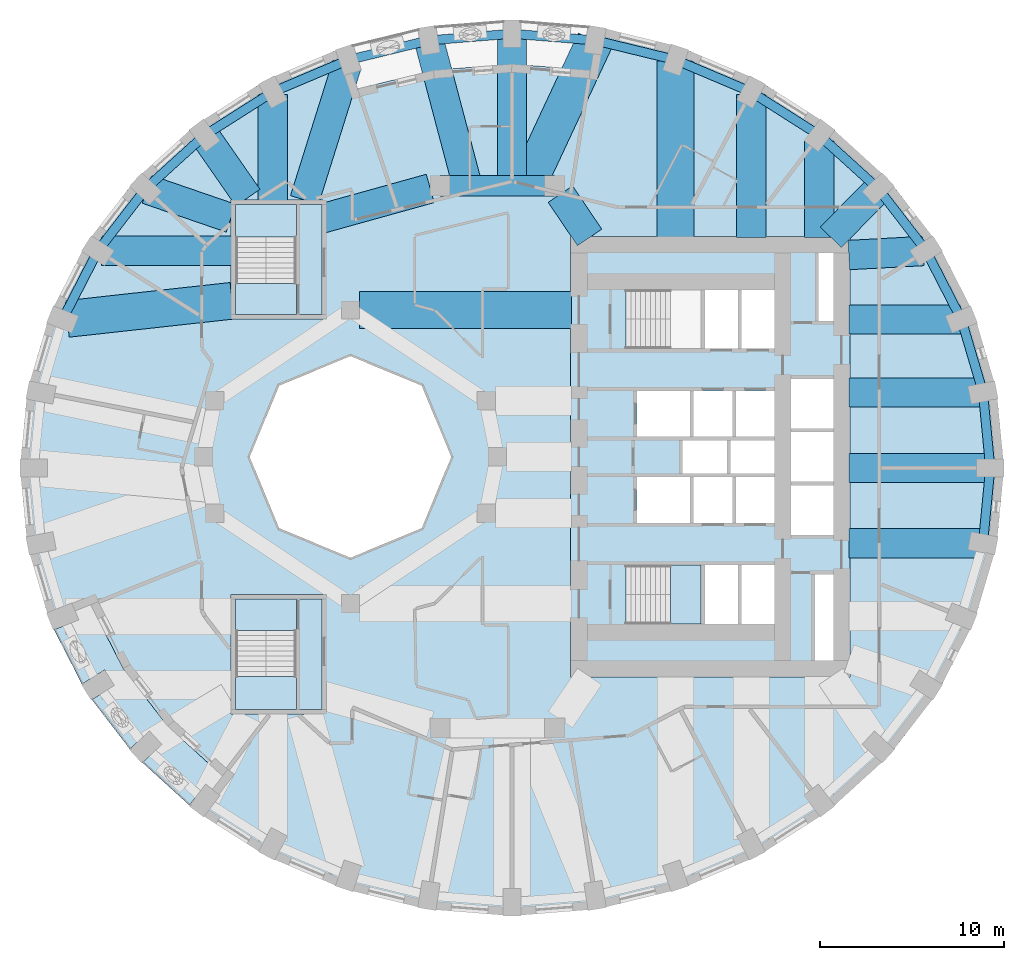
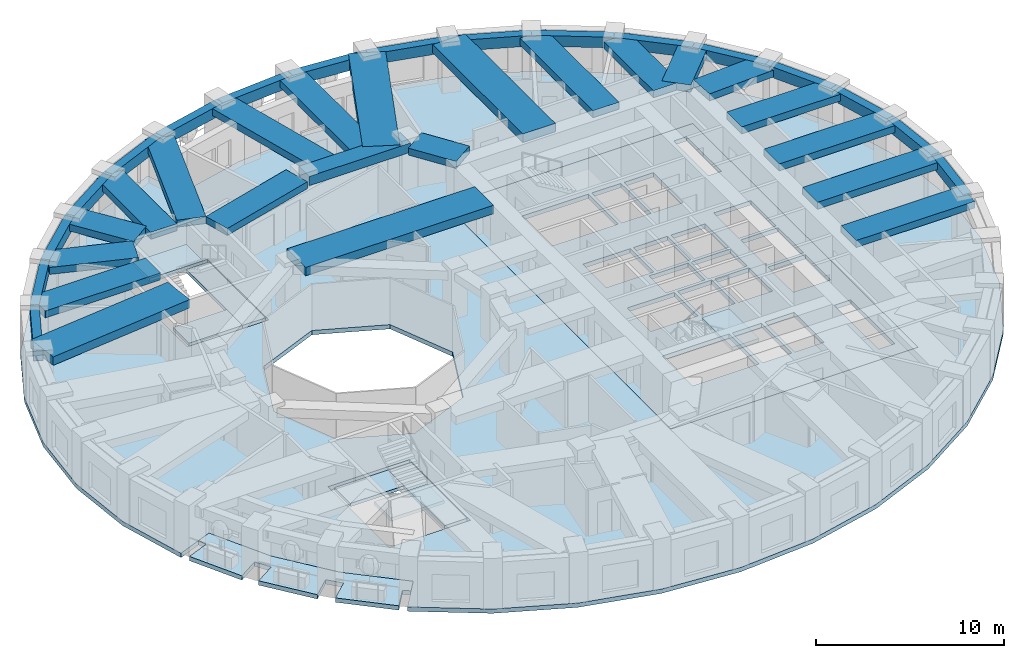
# One storey, part 2 of 12: 39 beams, 10 slabs, 3 elements without a shape of their own.
"""IFC4 building model written with IfcOpenShell, lengths in metres."""

from ifc_helpers import new_model, si_unit, direction, frame, origin, origin_2d, place, context, subcontext, project, spatial, polyline, rectangle, outline, extrude, material, layer, layer_set, material_profile, profile_set, type_object, element, aggregate, save


model = new_model("IFC4")

# Units and contexts
model_context = context("Model", 3, precision=1e-05, world=origin(), true_north=direction((0.0, 1.0)))
body_context = subcontext(model_context, "Body", "Model", "MODEL_VIEW")
ifc_project = project(units=[si_unit("LENGTHUNIT", "METRE"), si_unit("AREAUNIT", "SQUARE_METRE"), si_unit("VOLUMEUNIT", "CUBIC_METRE"), si_unit("PLANEANGLEUNIT", "RADIAN"), si_unit("MASSUNIT", "GRAM", prefix="KILO")], contexts=[model_context])

# Site, building, storey
site_placement = place(None, origin())
site = spatial("IfcSite", under=ifc_project, at=site_placement, CompositionType="ELEMENT")
building_placement = place(site_placement, origin())
building = spatial("IfcBuilding", under=site, at=building_placement, Name="Taillehof Tower", CompositionType="ELEMENT")
storey_placement = place(building_placement, frame((0.0, 0.0, 95.5)))
storey = spatial("IfcBuildingStorey", under=building, at=storey_placement, Name="L26", CompositionType="ELEMENT", Elevation=95.5)

# Beams
ifc_material_1 = material(Name="Concrete C50/60", Category="concrete")
ifc_material_profile_1 = material_profile(ifc_material_1, rectangle(XDim=1.10009765625, YDim=0.60009765625, at=origin_2d()), Name="RC 1100x600")
ifc_profile_set_1 = profile_set([ifc_material_profile_1], Name="Concrete C50/60")
beam_type_1 = type_object("IfcBeamType", Name="Mid-ring beam C50/60 1100x600", PredefinedType="BEAM", material=ifc_profile_set_1)
beam_1_placement = place(storey_placement, frame((3.125732421875, 14.772216796875, 2.719970703125), z_axis=(-1.0, 0.0, 0.0), x_axis=(0.0, -1.0, 0.0)))
element("IfcBeam", 1, at=beam_1_placement, inside=storey, type_object=beam_type_1, Name="Mid-ring beam MB01", PredefinedType="BEAM", context=body_context, shape_type="SweptSolid", body=[
    extrude(rectangle(XDim=1.10009765625, YDim=0.60009765625, at=origin_2d()), origin(), (0.0, 0.0, 1.0), 6.25146484375),
])
ifc_material_2 = material(Name="Concrete C50/60", Category="concrete")
ifc_material_profile_2 = material_profile(ifc_material_2, rectangle(XDim=1.60009765625, YDim=0.449951171875, at=origin_2d()), Name="RC 1600x450")
ifc_profile_set_2 = profile_set([ifc_material_profile_2], Name="Concrete C50/60")
beam_type_2 = type_object("IfcBeamType", Name="Radial band beam C50/60 1600x450", PredefinedType="BEAM", material=ifc_profile_set_2)
beam_2_placement = place(storey_placement, frame((26.85009765625, -0.60009765625, 2.794921875), z_axis=(-1.0, 0.0, 0.0), x_axis=(0.0, -1.0, 0.0)))
element("IfcBeam", 2, at=beam_2_placement, inside=storey, type_object=beam_type_2, Name="Radial band beam RB01", PredefinedType="BEAM", context=body_context, shape_type="SweptSolid", body=[
    extrude(rectangle(XDim=1.60009765625, YDim=0.449951171875, at=origin_2d()), origin(), (0.0, 0.0, 1.0), 7.7001953125),
])
beam_3_placement = place(storey_placement, frame((26.454345703125, 3.5068359375, 2.794921875), z_axis=(-1.0, 0.0, 0.0), x_axis=(0.0, -1.0, 0.0)))
element("IfcBeam", 3, at=beam_3_placement, inside=storey, type_object=beam_type_2, Name="Radial band beam RB02", PredefinedType="BEAM", context=body_context, shape_type="SweptSolid", body=[
    extrude(rectangle(XDim=1.60009765625, YDim=0.449951171875, at=origin_2d()), origin(), (0.0, 0.0, 1.0), 7.304443359375),
])
beam_4_placement = place(storey_placement, frame((25.2275390625, 7.48876953125, 2.794921875), z_axis=(-1.0, 0.0, 0.0), x_axis=(0.0, -1.0, 0.0)))
element("IfcBeam", 4, at=beam_4_placement, inside=storey, type_object=beam_type_2, Name="Radial band beam RB03", PredefinedType="BEAM", context=body_context, shape_type="SweptSolid", body=[
    extrude(rectangle(XDim=1.60009765625, YDim=0.449951171875, at=origin_2d()), origin(), (0.0, 0.0, 1.0), 6.07763671875),
])
beam_5_placement = place(storey_placement, frame((23.197021484375, 11.21630859375, 2.794921875), z_axis=(-0.998539024739, -0.054035322466, 0.0), x_axis=(0.054035322466, -0.998539024739, 0.0)))
element("IfcBeam", 5, at=beam_5_placement, inside=storey, type_object=beam_type_2, Name="Radial band beam RB04", PredefinedType="BEAM", context=body_context, shape_type="SweptSolid", body=[
    extrude(rectangle(XDim=1.60009765625, YDim=0.449951171875, at=origin_2d()), origin(), (0.0, 0.0, 1.0), 4.052734375),
])
beam_6_placement = place(storey_placement, frame((20.75537109375, 14.60205078125, 2.794921875), z_axis=(-0.700671998657, -0.713483531903, 0.0), x_axis=(0.713483531903, -0.700671998657, 0.0)))
element("IfcBeam", 6, at=beam_6_placement, inside=storey, type_object=beam_type_2, Name="Radial band beam RB05", PredefinedType="BEAM", context=body_context, shape_type="SweptSolid", body=[
    extrude(rectangle(XDim=1.60009765625, YDim=0.449951171875, at=origin_2d()), origin(), (0.0, 0.0, 1.0), 3.697021484375),
])
beam_7_placement = place(storey_placement, frame((17.544677734375, 17.2216796875, 2.794921875), z_axis=(0.0, -1.0, 0.0), x_axis=(1.0, 0.0, 0.0)))
element("IfcBeam", 7, at=beam_7_placement, inside=storey, type_object=beam_type_2, Name="Radial band beam RB06", PredefinedType="BEAM", context=body_context, shape_type="SweptSolid", body=[
    extrude(rectangle(XDim=1.60009765625, YDim=0.449951171875, at=origin_2d()), origin(), (0.0, 0.0, 1.0), 5.271728515625),
])
beam_8_placement = place(storey_placement, frame((13.824951171875, 19.744384765625, 2.794921875), z_axis=(0.0, -1.0, 0.0), x_axis=(1.0, 0.0, 0.0)))
element("IfcBeam", 8, at=beam_8_placement, inside=storey, type_object=beam_type_2, Name="Radial band beam RB07", PredefinedType="BEAM", context=body_context, shape_type="SweptSolid", body=[
    extrude(rectangle(XDim=1.60009765625, YDim=0.449951171875, at=origin_2d()), origin(), (0.0, 0.0, 1.0), 7.79443359375),
])
beam_9_placement = place(storey_placement, frame((0.800048828125, 23.050048828125, 2.794921875), z_axis=(0.0, -1.0, 0.0), x_axis=(1.0, 0.0, 0.0)))
element("IfcBeam", 9, at=beam_9_placement, inside=storey, type_object=beam_type_2, Name="Radial band beam RB10", PredefinedType="BEAM", context=body_context, shape_type="SweptSolid", body=[
    extrude(rectangle(XDim=1.60009765625, YDim=0.449951171875, at=origin_2d()), origin(), (0.0, 0.0, 1.0), 8.27783203125),
])
beam_10_placement = place(storey_placement, frame((-3.7236328125, 22.690673828125, 2.794921875), z_axis=(0.256102263642, -0.966649693817, 0.0), x_axis=(0.966649693817, 0.256102263642, 0.0)))
element("IfcBeam", 10, at=beam_10_placement, inside=storey, type_object=beam_type_2, Name="Radial band beam RB11", PredefinedType="BEAM", context=body_context, shape_type="SweptSolid", body=[
    extrude(rectangle(XDim=1.60009765625, YDim=0.449951171875, at=origin_2d()), origin(), (0.0, 0.0, 1.0), 8.191650390625),
])
beam_11_placement = place(storey_placement, frame((-8.189453125, 21.369140625, 2.794921875), z_axis=(-0.299184997435, -0.954195125386, 0.0), x_axis=(0.954195125386, -0.299184997435, 0.0)))
element("IfcBeam", 11, at=beam_11_placement, inside=storey, type_object=beam_type_2, Name="Radial band beam RB12", PredefinedType="BEAM", context=body_context, shape_type="SweptSolid", body=[
    extrude(rectangle(XDim=1.60009765625, YDim=0.449951171875, at=origin_2d()), origin(), (0.0, 0.0, 1.0), 7.728515625),
])
beam_12_placement = place(storey_placement, frame((-12.22509765625, 19.744384765625, 2.794921875), z_axis=(0.0, -1.0, 0.0), x_axis=(1.0, 0.0, 0.0)))
element("IfcBeam", 12, at=beam_12_placement, inside=storey, type_object=beam_type_2, Name="Radial band beam RB13", PredefinedType="BEAM", context=body_context, shape_type="SweptSolid", body=[
    extrude(rectangle(XDim=1.60009765625, YDim=0.449951171875, at=origin_2d()), origin(), (0.0, 0.0, 1.0), 5.79443359375),
])
beam_13_placement = place(storey_placement, frame((-15.944580078125, 17.516845703125, 2.794921875), z_axis=(0.570763290366, -0.821114648737, 0.0), x_axis=(0.821114648737, 0.570763290366, 0.0)))
element("IfcBeam", 13, at=beam_13_placement, inside=storey, type_object=beam_type_2, Name="Radial band beam RB14", PredefinedType="BEAM", context=body_context, shape_type="SweptSolid", body=[
    extrude(rectangle(XDim=1.60009765625, YDim=0.449951171875, at=origin_2d()), origin(), (0.0, 0.0, 1.0), 4.1328125),
])
beam_14_placement = place(storey_placement, frame((-19.080810546875, 14.576171875, 2.794921875), z_axis=(0.945583195076, -0.325380425334, 0.0), x_axis=(0.325380425334, 0.945583195076, 0.0)))
element("IfcBeam", 14, at=beam_14_placement, inside=storey, type_object=beam_type_2, Name="Radial band beam RB15", PredefinedType="BEAM", context=body_context, shape_type="SweptSolid", body=[
    extrude(rectangle(XDim=1.60009765625, YDim=0.449951171875, at=origin_2d()), origin(), (0.0, 0.0, 1.0), 4.83349609375),
])
beam_15_placement = place(storey_placement, frame((-21.54736328125, 11.22509765625, 2.794921875), z_axis=(1.0, 0.0, 0.0), x_axis=(0.0, 1.0, 0.0)))
element("IfcBeam", 15, at=beam_15_placement, inside=storey, type_object=beam_type_2, Name="Radial band beam RB16", PredefinedType="BEAM", context=body_context, shape_type="SweptSolid", body=[
    extrude(rectangle(XDim=1.60009765625, YDim=0.449951171875, at=origin_2d()), origin(), (0.0, 0.0, 1.0), 7.097412109375),
])
beam_16_placement = place(storey_placement, frame((26.454345703125, -4.706787109375, 2.794921875), z_axis=(-1.0, 0.0, 0.0), x_axis=(0.0, -1.0, 0.0)))
element("IfcBeam", 16, at=beam_16_placement, inside=storey, type_object=beam_type_2, Name="Radial band beam RB36", PredefinedType="BEAM", context=body_context, shape_type="SweptSolid", body=[
    extrude(rectangle(XDim=1.60009765625, YDim=0.449951171875, at=origin_2d()), origin(), (0.0, 0.0, 1.0), 7.304443359375),
])
beam_17_placement = place(storey_placement, frame((3.433837890625, 14.31640625, 2.794921875), z_axis=(0.560112043398, -0.828416862962, 0.0), x_axis=(0.828416862962, 0.560112043398, 0.0)))
element("IfcBeam", 17, at=beam_17_placement, inside=storey, type_object=beam_type_2, Name="Inner band beam IB205", PredefinedType="BEAM", context=body_context, shape_type="SweptSolid", body=[
    extrude(rectangle(XDim=1.60009765625, YDim=0.449951171875, at=origin_2d()), origin(), (0.0, 0.0, 1.0), 2.84619140625),
])
beam_18_placement = place(storey_placement, frame((-3.655517578125, 14.624755859375, 2.794921875), z_axis=(-0.963459369536, -0.267854518821, 0.0), x_axis=(0.267854518821, -0.963459369536, 0.0)))
element("IfcBeam", 18, at=beam_18_placement, inside=storey, type_object=beam_type_2, Name="Inner band beam IB206", PredefinedType="BEAM", context=body_context, shape_type="SweptSolid", body=[
    extrude(rectangle(XDim=1.60009765625, YDim=0.449951171875, at=origin_2d()), origin(), (0.0, 0.0, 1.0), 6.096923828125),
])
ifc_material_3 = material(Name="Concrete C50/60", Category="concrete")
ifc_material_profile_3 = material_profile(ifc_material_3, rectangle(XDim=2.0, YDim=0.550048828125, at=origin_2d()), Name="RC 2000x550")
ifc_profile_set_3 = profile_set([ifc_material_profile_3], Name="Concrete C50/60")
beam_type_3 = type_object("IfcBeamType", Name="Radial band beam C50/60 2000x550", PredefinedType="BEAM", material=ifc_profile_set_3)
beam_19_placement = place(storey_placement, frame((9.709716796875, 21.556640625, 2.7451171875), z_axis=(0.0, -1.0, 0.0), x_axis=(1.0, 0.0, 0.0)))
element("IfcBeam", 19, at=beam_19_placement, inside=storey, type_object=beam_type_3, Name="Radial band beam RB08", PredefinedType="BEAM", context=body_context, shape_type="SweptSolid", body=[
    extrude(rectangle(XDim=2.0, YDim=0.550048828125, at=origin_2d()), origin(), (0.0, 0.0, 1.0), 9.606689453125),
])
beam_20_placement = place(storey_placement, frame((5.312744140625, 22.66748046875, 2.7451171875), z_axis=(-0.423126261145, -0.90607072965, 0.0), x_axis=(0.90607072965, -0.423126261145, 0.0)))
element("IfcBeam", 20, at=beam_20_placement, inside=storey, type_object=beam_type_3, Name="Radial band beam RB09", PredefinedType="BEAM", context=body_context, shape_type="SweptSolid", body=[
    extrude(rectangle(XDim=2.0, YDim=0.550048828125, at=origin_2d()), origin(), (0.0, 0.0, 1.0), 8.713623046875),
])
beam_21_placement = place(storey_placement, frame((-23.42919921875, 7.516357421875, 2.7451171875), z_axis=(0.993988424713, 0.109485211499, 0.0), x_axis=(-0.109485211499, 0.993988424713, 0.0)))
element("IfcBeam", 21, at=beam_21_placement, inside=storey, type_object=beam_type_3, Name="Radial band beam RB17", PredefinedType="BEAM", context=body_context, shape_type="SweptSolid", body=[
    extrude(rectangle(XDim=2.0, YDim=0.550048828125, at=origin_2d()), origin(), (0.0, 0.0, 1.0), 9.033203125),
])
beam_22_placement = place(storey_placement, frame((-7.5, 8.0, 2.7451171875), z_axis=(1.0, 0.0, 0.0), x_axis=(0.0, 1.0, 0.0)))
element("IfcBeam", 22, at=beam_22_placement, inside=storey, type_object=beam_type_3, Name="Inner band beam IB105", PredefinedType="BEAM", context=body_context, shape_type="SweptSolid", body=[
    extrude(rectangle(XDim=2.0, YDim=0.550048828125, at=origin_2d()), origin(), (0.0, 0.0, 1.0), 11.550048828125),
])
ifc_material_4 = material(Name="Concrete C50/60", Category="concrete")
ifc_material_profile_4 = material_profile(ifc_material_4, rectangle(XDim=0.5, YDim=0.699951171875, at=origin_2d()), Name="RC 500x700")
ifc_profile_set_4 = profile_set([ifc_material_profile_4], Name="Concrete C50/60")
beam_type_4 = type_object("IfcBeamType", Name="Spandrel beam C50/60 500x700", PredefinedType="SPANDREL", material=ifc_profile_set_4)
beam_23_placement = place(storey_placement, frame((26.85009765625, -0.60009765625, 2.669921875), z_axis=(-0.095917608943, 0.995389276763, 0.0), x_axis=(-0.995389276763, -0.095917608943, 0.0)))
element("IfcBeam", 23, at=beam_23_placement, inside=storey, type_object=beam_type_4, Name="Spandrel beam SB01", PredefinedType="SPANDREL", context=body_context, shape_type="SweptSolid", body=[
    extrude(rectangle(XDim=0.5, YDim=0.699951171875, at=origin_2d()), origin(), (0.0, 0.0, 1.0), 4.1259765625),
])
beam_24_placement = place(storey_placement, frame((26.454345703125, 3.5068359375, 2.669921875), z_axis=(-0.28308309012, 0.95909538842, 0.0), x_axis=(-0.95909538842, -0.28308309012, 0.0)))
element("IfcBeam", 24, at=beam_24_placement, inside=storey, type_object=beam_type_4, Name="Spandrel beam SB02", PredefinedType="SPANDREL", context=body_context, shape_type="SweptSolid", body=[
    extrude(rectangle(XDim=0.5, YDim=0.699951171875, at=origin_2d()), origin(), (0.0, 0.0, 1.0), 4.15185546875),
])
beam_25_placement = place(storey_placement, frame((25.279052734375, 7.48876953125, 2.669921875), z_axis=(-0.456905372708, 0.88951530644, 0.0), x_axis=(-0.88951530644, -0.456905372708, 0.0)))
element("IfcBeam", 25, at=beam_25_placement, inside=storey, type_object=beam_type_4, Name="Spandrel beam SB03", PredefinedType="SPANDREL", context=body_context, shape_type="SweptSolid", body=[
    extrude(rectangle(XDim=0.5, YDim=0.699951171875, at=origin_2d()), origin(), (0.0, 0.0, 1.0), 4.200439453125),
])
beam_26_placement = place(storey_placement, frame((23.35986328125, 11.22509765625, 2.669921875), z_axis=(-0.61071731561, 0.79184869793, 0.0), x_axis=(-0.79184869793, -0.61071731561, 0.0)))
element("IfcBeam", 26, at=beam_26_placement, inside=storey, type_object=beam_type_4, Name="Spandrel beam SB04", PredefinedType="SPANDREL", context=body_context, shape_type="SweptSolid", body=[
    extrude(rectangle(XDim=0.5, YDim=0.699951171875, at=origin_2d()), origin(), (0.0, 0.0, 1.0), 4.2646484375),
])
beam_27_placement = place(storey_placement, frame((20.75537109375, 14.60205078125, 2.669921875), z_axis=(-0.740400998917, 0.672165426665, 0.0), x_axis=(-0.672165426665, -0.740400998917, 0.0)))
element("IfcBeam", 27, at=beam_27_placement, inside=storey, type_object=beam_type_4, Name="Spandrel beam SB05", PredefinedType="SPANDREL", context=body_context, shape_type="SweptSolid", body=[
    extrude(rectangle(XDim=0.5, YDim=0.699951171875, at=origin_2d()), origin(), (0.0, 0.0, 1.0), 4.33642578125),
])
beam_28_placement = place(storey_placement, frame((17.544677734375, 17.516845703125, 2.669921875), z_axis=(-0.843903157847, 0.536495536027, 0.0), x_axis=(-0.536495536027, -0.843903157847, 0.0)))
element("IfcBeam", 28, at=beam_28_placement, inside=storey, type_object=beam_type_4, Name="Spandrel beam SB06", PredefinedType="SPANDREL", context=body_context, shape_type="SweptSolid", body=[
    extrude(rectangle(XDim=0.5, YDim=0.699951171875, at=origin_2d()), origin(), (0.0, 0.0, 1.0), 4.40771484375),
])
beam_29_placement = place(storey_placement, frame((13.824951171875, 19.881591796875, 2.669921875), z_axis=(-0.920876744153, 0.389853847074, 0.0), x_axis=(-0.389853847074, -0.920876744153, 0.0)))
element("IfcBeam", 29, at=beam_29_placement, inside=storey, type_object=beam_type_4, Name="Spandrel beam SB07", PredefinedType="SPANDREL", context=body_context, shape_type="SweptSolid", body=[
    extrude(rectangle(XDim=0.5, YDim=0.699951171875, at=origin_2d()), origin(), (0.0, 0.0, 1.0), 4.46875),
])
beam_30_placement = place(storey_placement, frame((9.709716796875, 21.623779296875, 2.669921875), z_axis=(-0.971668945916, 0.23634605887, 0.0), x_axis=(-0.23634605887, -0.971668945916, 0.0)))
element("IfcBeam", 30, at=beam_30_placement, inside=storey, type_object=beam_type_4, Name="Spandrel beam SB08", PredefinedType="SPANDREL", context=body_context, shape_type="SweptSolid", body=[
    extrude(rectangle(XDim=0.5, YDim=0.699951171875, at=origin_2d()), origin(), (0.0, 0.0, 1.0), 4.51416015625),
])
beam_31_placement = place(storey_placement, frame((5.323486328125, 22.690673828125, 2.669921875), z_axis=(-0.996858923208, 0.079197772828, 0.0), x_axis=(-0.079197772828, -0.996858923208, 0.0)))
element("IfcBeam", 31, at=beam_31_placement, inside=storey, type_object=beam_type_4, Name="Spandrel beam SB09", PredefinedType="SPANDREL", context=body_context, shape_type="SweptSolid", body=[
    extrude(rectangle(XDim=0.5, YDim=0.699951171875, at=origin_2d()), origin(), (0.0, 0.0, 1.0), 4.53759765625),
])
beam_32_placement = place(storey_placement, frame((0.800048828125, 23.050048828125, 2.669921875), z_axis=(-0.996859260648, -0.079193525375, 0.0), x_axis=(0.079193525375, -0.996859260648, 0.0)))
element("IfcBeam", 32, at=beam_32_placement, inside=storey, type_object=beam_type_4, Name="Spandrel beam SB10", PredefinedType="SPANDREL", context=body_context, shape_type="SweptSolid", body=[
    extrude(rectangle(XDim=0.5, YDim=0.699951171875, at=origin_2d()), origin(), (0.0, 0.0, 1.0), 4.537841796875),
])
beam_33_placement = place(storey_placement, frame((-3.7236328125, 22.690673828125, 2.669921875), z_axis=(-0.971665924588, -0.236358479847, 0.0), x_axis=(0.236358479847, -0.971665924588, 0.0)))
element("IfcBeam", 33, at=beam_33_placement, inside=storey, type_object=beam_type_4, Name="Spandrel beam SB11", PredefinedType="SPANDREL", context=body_context, shape_type="SweptSolid", body=[
    extrude(rectangle(XDim=0.5, YDim=0.699951171875, at=origin_2d()), origin(), (0.0, 0.0, 1.0), 4.513916015625),
])
beam_34_placement = place(storey_placement, frame((-8.109619140625, 21.623779296875, 2.669921875), z_axis=(-0.920885046825, -0.389834234688, 0.0), x_axis=(0.389834234688, -0.920885046825, 0.0)))
element("IfcBeam", 34, at=beam_34_placement, inside=storey, type_object=beam_type_4, Name="Spandrel beam SB12", PredefinedType="SPANDREL", context=body_context, shape_type="SweptSolid", body=[
    extrude(rectangle(XDim=0.5, YDim=0.699951171875, at=origin_2d()), origin(), (0.0, 0.0, 1.0), 4.468994140625),
])
beam_35_placement = place(storey_placement, frame((-12.22509765625, 19.881591796875, 2.669921875), z_axis=(-0.843887214322, -0.536520614239, 0.0), x_axis=(0.536520614239, -0.843887214322, 0.0)))
element("IfcBeam", 35, at=beam_35_placement, inside=storey, type_object=beam_type_4, Name="Spandrel beam SB13", PredefinedType="SPANDREL", context=body_context, shape_type="SweptSolid", body=[
    extrude(rectangle(XDim=0.5, YDim=0.699951171875, at=origin_2d()), origin(), (0.0, 0.0, 1.0), 4.407470703125),
])
beam_36_placement = place(storey_placement, frame((-15.944580078125, 17.516845703125, 2.669921875), z_axis=(-0.740426434014, -0.672137408432, 0.0), x_axis=(0.672137408432, -0.740426434014, 0.0)))
element("IfcBeam", 36, at=beam_36_placement, inside=storey, type_object=beam_type_4, Name="Spandrel beam SB14", PredefinedType="SPANDREL", context=body_context, shape_type="SweptSolid", body=[
    extrude(rectangle(XDim=0.5, YDim=0.699951171875, at=origin_2d()), origin(), (0.0, 0.0, 1.0), 4.336669921875),
])
beam_37_placement = place(storey_placement, frame((-19.155517578125, 14.60205078125, 2.669921875), z_axis=(-0.61071731561, -0.79184869793, 0.0), x_axis=(0.79184869793, -0.61071731561, 0.0)))
element("IfcBeam", 37, at=beam_37_placement, inside=storey, type_object=beam_type_4, Name="Spandrel beam SB15", PredefinedType="SPANDREL", context=body_context, shape_type="SweptSolid", body=[
    extrude(rectangle(XDim=0.5, YDim=0.699951171875, at=origin_2d()), origin(), (0.0, 0.0, 1.0), 4.2646484375),
])
beam_38_placement = place(storey_placement, frame((-21.760009765625, 11.22509765625, 2.669921875), z_axis=(-0.456859381733, -0.889538928503, 0.0), x_axis=(0.889538928503, -0.456859381733, 0.0)))
element("IfcBeam", 38, at=beam_38_placement, inside=storey, type_object=beam_type_4, Name="Spandrel beam SB16", PredefinedType="SPANDREL", context=body_context, shape_type="SweptSolid", body=[
    extrude(rectangle(XDim=0.5, YDim=0.699951171875, at=origin_2d()), origin(), (0.0, 0.0, 1.0), 4.2001953125),
])
beam_39_placement = place(storey_placement, frame((26.454345703125, -4.706787109375, 2.669921875), z_axis=(0.09592325873, 0.995388732323, 0.0), x_axis=(-0.995388732323, 0.09592325873, 0.0)))
element("IfcBeam", 39, at=beam_39_placement, inside=storey, type_object=beam_type_4, Name="Spandrel beam SB36", PredefinedType="SPANDREL", context=body_context, shape_type="SweptSolid", body=[
    extrude(rectangle(XDim=0.5, YDim=0.699951171875, at=origin_2d()), origin(), (0.0, 0.0, 1.0), 4.125732421875),
])

# Slabs
ifc_material_5 = material(Name="Concrete C40/50", Category="concrete")
ifc_layer_1 = layer(ifc_material_5, 0.280029296875)
ifc_layer_set_1 = layer_set([ifc_layer_1], Name="Balcony slab 280")
slab_type_1 = type_object("IfcSlabType", Name="Balcony slab 280", PredefinedType="USERDEFINED", material=ifc_layer_set_1)
slab_1_placement = place(storey_placement, frame((0.0, 0.0, -0.280029296875)))
element("IfcSlab", 40, at=slab_1_placement, inside=storey, type_object=slab_type_1, Name="Balcony L26 pocket 6", ObjectType="BALCONY", PredefinedType="USERDEFINED", context=body_context, shape_type="SweptSolid", body=[
    extrude(outline(polyline([(-14.9697265625, -17.38427734375), (-15.5166015625, -18.10009765625), (-15.88671875, -17.8173828125), (-16.7724609375, -18.976806640625), (-19.3330078125, -16.6455078125), (-18.26513671875, -15.661376953125), (-18.94287109375, -14.926025390625), (-20.0146484375, -15.913818359375), (-22.084228515625, -13.22265625), (-20.85888671875, -12.445556640625), (-21.394287109375, -11.60107421875), (-22.6240234375, -12.380859375), (-24.14404296875, -9.4130859375), (-22.796875, -8.874755859375), (-22.9912109375, -8.388671875), (-22.1552734375, -8.054443359375), (-20.382568359375, -11.5146484375), (-17.965087890625, -14.657470703125), (-14.9697265625, -17.38427734375)])), origin(), (0.0, 0.0, 1.0), 0.280029296875),
])
ifc_material_6 = material(Name="Concrete C40/50", Category="concrete")
ifc_layer_2 = layer(ifc_material_6, 0.280029296875)
ifc_layer_set_2 = layer_set([ifc_layer_2], Name="Core floor slab C40/50 280")
slab_type_2 = type_object("IfcSlabType", Name="Core floor slab C40/50 280", PredefinedType="FLOOR", material=ifc_layer_set_2)
slab_2_placement = place(storey_placement, frame((0.0, 0.0, -0.280029296875)))
element("IfcSlab", 41, at=slab_2_placement, inside=storey, type_object=slab_type_2, Name="Core floor L26", PredefinedType="FLOOR", context=body_context, shape_type="SweptSolid", body=[
    extrude(outline(polyline([(4.0, -12.0), (4.0, 12.0), (19.199951171875, 12.0), (19.199951171875, -12.0), (4.0, -12.0)]), holes=[polyline([(7.00048828125, -9.10009765625), (11.10009765625, -9.10009765625), (11.10009765625, -5.89990234375), (7.00048828125, -5.89990234375), (7.00048828125, -9.10009765625)]), polyline([(13.10009765625, -9.10009765625), (13.10009765625, -5.89990234375), (11.300048828125, -5.89990234375), (11.300048828125, -9.10009765625), (13.10009765625, -9.10009765625)]), polyline([(10.5, -3.60009765625), (10.5, -1.10009765625), (7.60009765625, -1.10009765625), (7.60009765625, -3.60009765625), (10.5, -3.60009765625)]), polyline([(12.800048828125, -3.60009765625), (12.800048828125, -1.10009765625), (10.699951171875, -1.10009765625), (10.699951171875, -3.60009765625), (12.800048828125, -3.60009765625)]), polyline([(12.5, -0.89990234375), (12.5, 0.89990234375), (10.10009765625, 0.89990234375), (10.10009765625, -0.89990234375), (12.5, -0.89990234375)]), polyline([(15.10009765625, -0.89990234375), (15.10009765625, 0.89990234375), (12.699951171875, 0.89990234375), (12.699951171875, -0.89990234375), (15.10009765625, -0.89990234375)]), polyline([(10.5, 1.10009765625), (10.5, 3.60009765625), (7.60009765625, 3.60009765625), (7.60009765625, 1.10009765625), (10.5, 1.10009765625)]), polyline([(10.699951171875, 1.10009765625), (12.800048828125, 1.10009765625), (12.800048828125, 3.60009765625), (10.699951171875, 3.60009765625), (10.699951171875, 1.10009765625)]), polyline([(11.300048828125, 5.89990234375), (13.10009765625, 5.89990234375), (13.10009765625, 9.10009765625), (11.300048828125, 9.10009765625), (11.300048828125, 5.89990234375)]), polyline([(11.10009765625, 5.89990234375), (11.10009765625, 9.10009765625), (7.00048828125, 9.10009765625), (7.00048828125, 5.89990234375), (11.10009765625, 5.89990234375)]), polyline([(18.300048828125, -11.10009765625), (18.300048828125, -6.39990234375), (17.300048828125, -6.39990234375), (17.300048828125, -11.10009765625), (18.300048828125, -11.10009765625)]), polyline([(15.10009765625, -9.10009765625), (15.10009765625, -5.89990234375), (13.300048828125, -5.89990234375), (13.300048828125, -9.10009765625), (15.10009765625, -9.10009765625)]), polyline([(16.0, -4.25), (18.300048828125, -4.25), (18.300048828125, -1.550048828125), (16.0, -1.550048828125), (16.0, -4.25)]), polyline([(13.0, -3.60009765625), (15.10009765625, -3.60009765625), (15.10009765625, -1.10009765625), (13.0, -1.10009765625), (13.0, -3.60009765625)]), polyline([(18.300048828125, -1.35009765625), (18.300048828125, 1.35009765625), (16.0, 1.35009765625), (16.0, -1.35009765625), (18.300048828125, -1.35009765625)]), polyline([(15.10009765625, 1.10009765625), (15.10009765625, 3.60009765625), (13.0, 3.60009765625), (13.0, 1.10009765625), (15.10009765625, 1.10009765625)]), polyline([(18.300048828125, 1.550048828125), (18.300048828125, 4.25), (16.0, 4.25), (16.0, 1.550048828125), (18.300048828125, 1.550048828125)]), polyline([(13.300048828125, 5.89990234375), (15.10009765625, 5.89990234375), (15.10009765625, 9.10009765625), (13.300048828125, 9.10009765625), (13.300048828125, 5.89990234375)]), polyline([(17.5, 7.39990234375), (18.300048828125, 7.39990234375), (18.300048828125, 11.10009765625), (17.5, 11.10009765625), (17.5, 7.39990234375)])]), origin(), (0.0, 0.0, 1.0), 0.280029296875),
])
ifc_material_7 = material(Name="Concrete C40/50", Category="concrete")
ifc_layer_3 = layer(ifc_material_7, 0.280029296875)
ifc_layer_set_3 = layer_set([ifc_layer_3], Name="Floor slab 280")
slab_type_3 = type_object("IfcSlabType", Name="Floor slab 280", PredefinedType="FLOOR", material=ifc_layer_set_3)
slab_3_placement = place(storey_placement, frame((0.0, 0.0, -0.280029296875)))
element("IfcSlab", 42, at=slab_3_placement, inside=storey, type_object=slab_type_3, Name="Floor slab L26", PredefinedType="FLOOR", context=body_context, shape_type="SweptSolid", body=[
    extrude(outline(polyline([(27.60009765625, -0.60009765625), (27.19287109375, 3.636962890625), (25.98388671875, 7.745361328125), (24.009521484375, 11.60009765625), (21.330078125, 15.083984375), (18.026611328125, 18.091552734375), (14.199951171875, 20.531005859375), (9.966064453125, 22.32861328125), (5.453857421875, 23.42919921875), (5.073486328125, 21.059814453125), (0.800048828125, 21.39990234375), (-3.473388671875, 21.059814453125), (-7.611083984375, 20.05029296875), (-8.3662109375, 22.32861328125), (-12.60009765625, 20.531005859375), (-16.4267578125, 18.091552734375), (-19.72998046875, 15.083984375), (-22.409423828125, 11.60009765625), (-24.3837890625, 7.745361328125), (-25.5927734375, 3.636962890625), (-26.0, -0.60009765625), (-25.5927734375, -4.8369140625), (-24.3837890625, -8.9453125), (-22.1552734375, -8.054443359375), (-20.3828125, -11.5146484375), (-17.965087890625, -14.657470703125), (-14.9697265625, -17.38427734375), (-16.4267578125, -19.29150390625), (-12.60009765625, -21.73095703125), (-8.3662109375, -23.528564453125), (-3.853759765625, -24.62939453125), (0.800048828125, -25.0), (5.453857421875, -24.62939453125), (9.966064453125, -23.528564453125), (14.199951171875, -21.73095703125), (18.026611328125, -19.29150390625), (21.330078125, -16.283935546875), (24.009521484375, -12.800048828125), (25.98388671875, -8.9453125), (27.19287109375, -4.8369140625), (27.60009765625, -0.60009765625)]), holes=[polyline([(-14.5, -7.5), (-9.5, -7.5), (-9.5, -14.0), (-14.5, -14.0), (-14.5, -7.5)]), polyline([(-8.0, -5.5), (-11.88916015625, -3.88916015625), (-13.5, 0.0), (-11.88916015625, 3.88916015625), (-8.0, 5.5), (-4.11083984375, 3.88916015625), (-2.5, 0.0), (-4.11083984375, -3.88916015625), (-8.0, -5.5)]), polyline([(19.199951171875, 12.0), (19.199951171875, -12.0), (4.0, -12.0), (4.0, 12.0), (19.199951171875, 12.0)]), polyline([(-14.5, 14.0), (-9.5, 14.0), (-9.5, 7.5), (-14.5, 7.5), (-14.5, 14.0)])]), origin(), (0.0, 0.0, 1.0), 0.280029296875),
])

# Stair, slab
ifc_material_8 = material(Name="Concrete C40/50", Category="concrete")
stair_type = type_object("IfcStairType", Name="Exit stair half-turn", PredefinedType="HALF_TURN_STAIR", material=ifc_material_8)
stair_1_placement = place(storey_placement, origin())
stair_1 = element("IfcStair", 43, at=stair_1_placement, inside=storey, type_object=stair_type, Name="Exit stair S2", PredefinedType="HALF_TURN_STAIR")
ifc_material_9 = material(Name="Concrete C40/50", Category="concrete")
ifc_layer_4 = layer(ifc_material_9, 0.2099609375)
ifc_layer_set_4 = layer_set([ifc_layer_4], Name="Stair landing C40/50 210")
slab_type_4 = type_object("IfcSlabType", Name="Stair landing C40/50 210", PredefinedType="LANDING", material=ifc_layer_set_4)
slab_4_placement = place(storey_placement, frame((0.0, 0.0, 1.43994140625)))
slab_4 = element("IfcSlab", 44, at=slab_4_placement, type_object=slab_type_4, Name="S2 landing 1", PredefinedType="LANDING", context=body_context, shape_type="SweptSolid", body=[
    extrude(outline(polyline([(9.429931640625, -5.89990234375), (11.10009765625, -5.89990234375), (11.10009765625, -9.10009765625), (9.429931640625, -9.10009765625), (9.429931640625, -5.89990234375)])), origin(), (0.0, 0.0, 1.0), 0.2099609375),
])
aggregate(stair_1, [slab_4])

stair_2_placement = place(storey_placement, origin())
stair_2 = element("IfcStair", 45, at=stair_2_placement, inside=storey, type_object=stair_type, Name="Exit stair S3", PredefinedType="HALF_TURN_STAIR")
slab_5_placement = place(storey_placement, frame((0.0, 0.0, 1.43994140625)))
slab_5 = element("IfcSlab", 46, at=slab_5_placement, type_object=slab_type_4, Name="S3 landing 1", PredefinedType="LANDING", context=body_context, shape_type="SweptSolid", body=[
    extrude(outline(polyline([(-14.25, 11.969970703125), (-14.25, 13.75), (-10.949951171875, 13.75), (-10.949951171875, 11.969970703125), (-14.25, 11.969970703125)])), origin(), (0.0, 0.0, 1.0), 0.2099609375),
])
aggregate(stair_2, [slab_5])

stair_3_placement = place(storey_placement, origin())
stair_3 = element("IfcStair", 47, at=stair_3_placement, inside=storey, type_object=stair_type, Name="Exit stair S4", PredefinedType="HALF_TURN_STAIR")
slab_6_placement = place(storey_placement, frame((0.0, 0.0, 1.43994140625)))
slab_6 = element("IfcSlab", 48, at=slab_6_placement, type_object=slab_type_4, Name="S4 landing 1", PredefinedType="LANDING", context=body_context, shape_type="SweptSolid", body=[
    extrude(outline(polyline([(-14.25, -11.969970703125), (-14.25, -13.75), (-10.949951171875, -13.75), (-10.949951171875, -11.969970703125), (-14.25, -11.969970703125)])), origin(), (0.0, 0.0, 1.0), 0.2099609375),
])
aggregate(stair_3, [slab_6])

# Slabs
slab_7_placement = place(storey_placement, frame((0.0, 0.0, -0.2099609375)))
element("IfcSlab", 49, at=slab_7_placement, inside=storey, type_object=slab_type_4, Name="Stair S3 floor landing", PredefinedType="LANDING", context=body_context, shape_type="SweptSolid", body=[
    extrude(outline(polyline([(-14.25, 7.75), (-14.25, 9.449951171875), (-10.949951171875, 9.449951171875), (-10.949951171875, 7.75), (-14.25, 7.75)])), origin(), (0.0, 0.0, 1.0), 0.2099609375),
])
slab_8_placement = place(storey_placement, frame((0.0, 0.0, -0.2099609375)))
element("IfcSlab", 50, at=slab_8_placement, inside=storey, type_object=slab_type_4, Name="Stair lobby S3 floor", PredefinedType="LANDING", context=body_context, shape_type="SweptSolid", body=[
    extrude(outline(polyline([(-10.949951171875, 7.75), (-9.550048828125, 7.75), (-9.550048828125, 13.75), (-10.949951171875, 13.75), (-10.949951171875, 7.75)])), origin(), (0.0, 0.0, 1.0), 0.2099609375),
])
slab_9_placement = place(storey_placement, frame((0.0, 0.0, -0.2099609375)))
element("IfcSlab", 51, at=slab_9_placement, inside=storey, type_object=slab_type_4, Name="Stair S4 floor landing", PredefinedType="LANDING", context=body_context, shape_type="SweptSolid", body=[
    extrude(outline(polyline([(-14.25, -7.75), (-14.25, -9.449951171875), (-10.949951171875, -9.449951171875), (-10.949951171875, -7.75), (-14.25, -7.75)])), origin(), (0.0, 0.0, 1.0), 0.2099609375),
])
slab_10_placement = place(storey_placement, frame((0.0, 0.0, -0.2099609375)))
element("IfcSlab", 52, at=slab_10_placement, inside=storey, type_object=slab_type_4, Name="Stair lobby S4 floor", PredefinedType="LANDING", context=body_context, shape_type="SweptSolid", body=[
    extrude(outline(polyline([(-10.949951171875, -13.75), (-9.550048828125, -13.75), (-9.550048828125, -7.75), (-10.949951171875, -7.75), (-10.949951171875, -13.75)])), origin(), (0.0, 0.0, 1.0), 0.2099609375),
])

save(model, "model.ifc")
